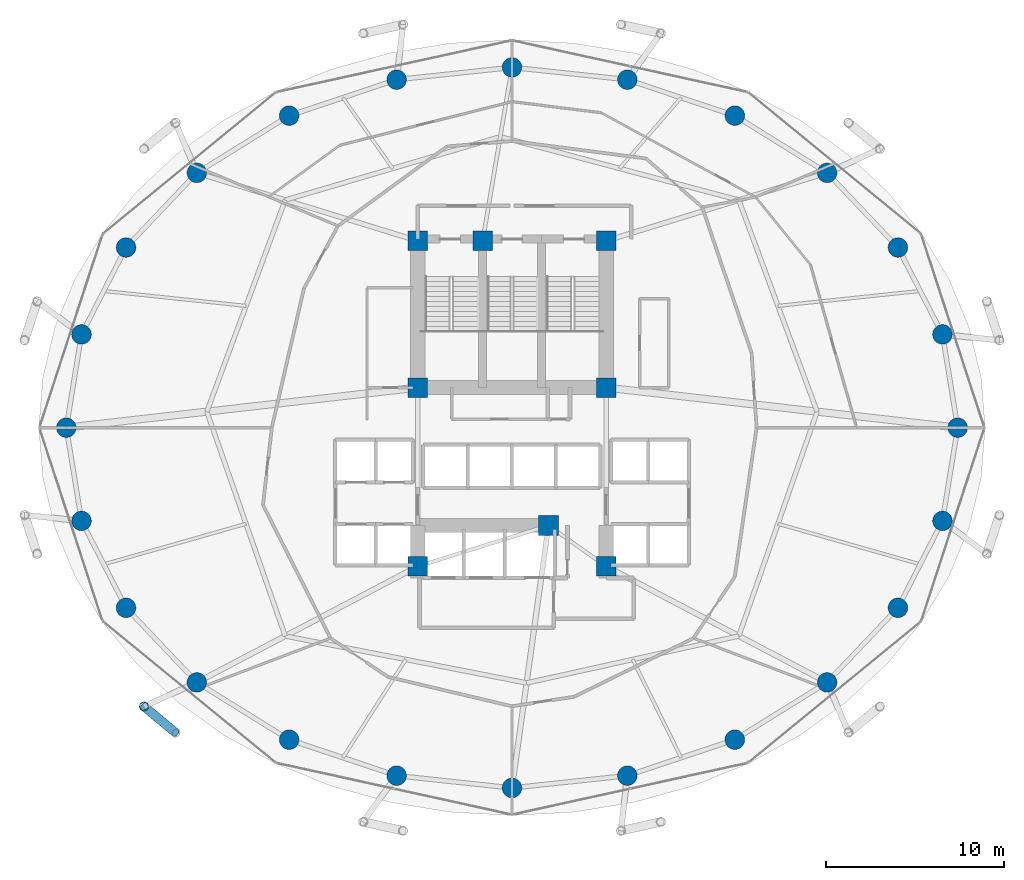
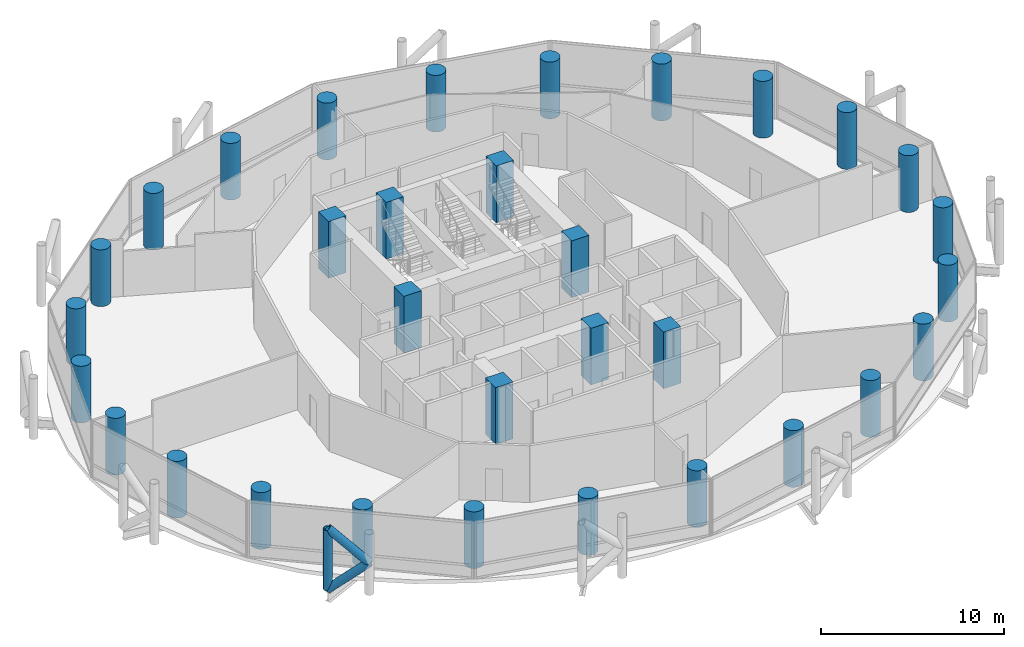
# One storey, part 1 of 25: 32 columns, 3 members.
"""IFC4 building model written with IfcOpenShell, lengths in metres."""

from ifc_helpers import new_model, si_unit, direction, frame, origin, origin_2d, place, context, subcontext, project, spatial, rectangle, circle, hollow_circle, extrude, material, material_profile, profile_set, type_object, element, save


model = new_model("IFC4")

# Units and contexts
model_context = context("Model", 3, precision=1e-05, world=origin(), true_north=direction((0.0, 1.0)))
body_context = subcontext(model_context, "Body", "Model", "MODEL_VIEW")
ifc_project = project(units=[si_unit("LENGTHUNIT", "METRE"), si_unit("AREAUNIT", "SQUARE_METRE"), si_unit("VOLUMEUNIT", "CUBIC_METRE"), si_unit("PLANEANGLEUNIT", "RADIAN"), si_unit("MASSUNIT", "GRAM", prefix="KILO")], contexts=[model_context])

# Site, building, storey
site_placement = place(None, origin())
site = spatial("IfcSite", under=ifc_project, at=site_placement, CompositionType="ELEMENT")
building_placement = place(site_placement, origin())
building = spatial("IfcBuilding", under=site, at=building_placement, Name="Nuhasar Tower", CompositionType="ELEMENT")
storey_placement = place(building_placement, frame((0.0, 0.0, 49.35009765625)))
storey = spatial("IfcBuildingStorey", under=building, at=storey_placement, Name="L11", CompositionType="ELEMENT", Elevation=49.35009765625)

# Columns
ifc_material_1 = material(Name="Concrete C80/95", Category="concrete")
ifc_material_profile_1 = material_profile(ifc_material_1, circle(Radius=0.550048828125, at=origin_2d()), Name="CFT1100")
ifc_profile_set_1 = profile_set([ifc_material_profile_1], Name="Concrete C80/95")
column_type_1 = type_object("IfcColumnType", Name="COL-CFT-1100", PredefinedType="COLUMN", material=ifc_profile_set_1)
for number, where, z_axis, x_axis, name in (
    (1, (64.050048828125, 26.800048828125, 0.0), (0.0, 0.0, 1.0), (1.0, 0.0, 0.0), "L11 Perimeter Composite Column TC-01"),
    (2, (63.196044921875, 32.041015625, 0.0), (0.0, 0.0, 1.0), (1.0, 0.0, 0.0), "L11 Perimeter Composite Column TC-02"),
    (3, (60.694091796875, 36.925048828125, 0.0), (0.0, 0.0, 1.0), (1.0, 0.0, 0.0), "L11 Perimeter Composite Column TC-03"),
    (4, (56.712890625, 41.118896484375, 0.0), (0.0, 0.0, 1.0), (1.0, 0.0, 0.0), "L11 Perimeter Composite Column TC-04"),
    (5, (51.52490234375, 44.3369140625, 0.0), (0.0, 0.0, 1.0), (1.0, 0.0, 0.0), "L11 Perimeter Composite Column TC-05"),
    (6, (45.48291015625, 46.360107421875, 0.0), (0.0, 0.0, 1.0), (1.0, 0.0, 0.0), "L11 Perimeter Composite Column TC-06"),
    (7, (39.0, 47.050048828125, 0.0), (0.0, 0.0, 1.0), (1.0, 0.0, 0.0), "L11 Perimeter Composite Column TC-07"),
    (8, (32.51708984375, 46.360107421875, 0.0), (0.0, 0.0, 1.0), (1.0, 0.0, 0.0), "L11 Perimeter Composite Column TC-08"),
    (9, (26.47509765625, 44.3369140625, 0.0), (0.0, 0.0, 1.0), (1.0, 0.0, 0.0), "L11 Perimeter Composite Column TC-09"),
    (10, (21.287109375, 41.118896484375, 0.0), (0.0, 0.0, 1.0), (1.0, 0.0, 0.0), "L11 Perimeter Composite Column TC-10"),
    (11, (17.305908203125, 36.925048828125, 0.0), (0.0, 0.0, 1.0), (1.0, 0.0, 0.0), "L11 Perimeter Composite Column TC-11"),
    (12, (14.803955078125, 32.041015625, 0.0), (0.0, 0.0, 1.0), (1.0, 0.0, 0.0), "L11 Perimeter Composite Column TC-12"),
    (13, (13.949951171875, 26.800048828125, 0.0), (0.0, 0.0, 1.0), (1.0, 0.0, 0.0), "L11 Perimeter Composite Column TC-13"),
    (14, (14.803955078125, 21.55908203125, 0.0), (0.0, 0.0, 1.0), (1.0, 0.0, 0.0), "L11 Perimeter Composite Column TC-14"),
    (15, (17.305908203125, 16.675048828125, 0.0), (0.0, 0.0, 1.0), (1.0, 0.0, 0.0), "L11 Perimeter Composite Column TC-15"),
    (16, (21.287109375, 12.48095703125, 0.0), (0.0, 0.0, 1.0), (1.0, 0.0, 0.0), "L11 Perimeter Composite Column TC-16"),
    (17, (26.47509765625, 9.262939453125, 0.0), (0.0, 0.0, 1.0), (1.0, 0.0, 0.0), "L11 Perimeter Composite Column TC-17"),
    (18, (32.51708984375, 7.239990234375, 0.0), (0.0, 0.0, 1.0), (1.0, 0.0, 0.0), "L11 Perimeter Composite Column TC-18"),
    (19, (39.0, 6.550048828125, 0.0), (0.0, 0.0, 1.0), (1.0, 0.0, 0.0), "L11 Perimeter Composite Column TC-19"),
    (20, (45.48291015625, 7.239990234375, 0.0), (0.0, 0.0, 1.0), (1.0, 0.0, 0.0), "L11 Perimeter Composite Column TC-20"),
    (21, (51.52490234375, 9.262939453125, 0.0), (0.0, 0.0, 1.0), (1.0, 0.0, 0.0), "L11 Perimeter Composite Column TC-21"),
    (22, (56.712890625, 12.48095703125, 0.0), (0.0, 0.0, 1.0), (1.0, 0.0, 0.0), "L11 Perimeter Composite Column TC-22"),
    (23, (60.694091796875, 16.675048828125, 0.0), (0.0, 0.0, 1.0), (1.0, 0.0, 0.0), "L11 Perimeter Composite Column TC-23"),
    (24, (63.196044921875, 21.55908203125, 0.0), (0.0, 0.0, 1.0), (1.0, 0.0, 0.0), "L11 Perimeter Composite Column TC-24"),
):
    element("IfcColumn", number, at=place(storey_placement, frame(where, z_axis=z_axis, x_axis=x_axis)), inside=storey, type_object=column_type_1, Name=name, PredefinedType="COLUMN", context=body_context, shape_type="SweptSolid", body=[
        extrude(circle(Radius=0.550048828125, at=origin_2d()), origin(), (0.0, 0.0, 1.0), 3.789794921875),
    ])
ifc_material_profile_2 = material_profile(ifc_material_1, rectangle(XDim=1.10009765625, YDim=1.10009765625, at=origin_2d()), Name="RC1100X1100")
ifc_profile_set_2 = profile_set([ifc_material_profile_2], Name="Concrete C80/95")
column_type_2 = type_object("IfcColumnType", Name="PIL-RC-1100", PredefinedType="PILASTER", material=ifc_profile_set_2)
for number, where, z_axis, x_axis, name in (
    (25, (33.699951171875, 19.0, 0.0), (0.0, 0.0, 1.0), (1.0, 0.0, 0.0), "L11 Core Boundary Pilaster CC-01"),
    (26, (41.050048828125, 21.300048828125, 0.0), (0.0, 0.0, 1.0), (1.0, 0.0, 0.0), "L11 Core Boundary Pilaster CC-02"),
    (27, (44.300048828125, 19.0, 0.0), (0.0, 0.0, 1.0), (1.0, 0.0, 0.0), "L11 Core Boundary Pilaster CC-03"),
    (28, (44.300048828125, 29.050048828125, 0.0), (0.0, 0.0, 1.0), (1.0, 0.0, 0.0), "L11 Core Boundary Pilaster CC-04"),
    (29, (44.300048828125, 37.300048828125, 0.0), (0.0, 0.0, 1.0), (1.0, 0.0, 0.0), "L11 Core Boundary Pilaster CC-05"),
    (30, (37.35009765625, 37.300048828125, 0.0), (0.0, 0.0, 1.0), (1.0, 0.0, 0.0), "L11 Core Boundary Pilaster CC-06"),
    (31, (33.699951171875, 37.300048828125, 0.0), (0.0, 0.0, 1.0), (1.0, 0.0, 0.0), "L11 Core Boundary Pilaster CC-07"),
    (32, (33.699951171875, 29.050048828125, 0.0), (0.0, 0.0, 1.0), (1.0, 0.0, 0.0), "L11 Core Boundary Pilaster CC-08"),
):
    element("IfcColumn", number, at=place(storey_placement, frame(where, z_axis=z_axis, x_axis=x_axis)), inside=storey, type_object=column_type_2, Name=name, PredefinedType="PILASTER", context=body_context, shape_type="SweptSolid", body=[
        extrude(rectangle(XDim=1.10009765625, YDim=1.10009765625, at=origin_2d()), origin(), (0.0, 0.0, 1.0), 3.789794921875),
    ])

# Members
ifc_material_2 = material(Name="Steel S460", Category="steel")
ifc_material_profile_3 = material_profile(ifc_material_2, hollow_circle(Radius=0.25390625, WallThickness=0.025390625, at=origin_2d()), Name="HSS508X25.4")
ifc_profile_set_3 = profile_set([ifc_material_profile_3], Name="Steel S460")
member_type = type_object("IfcMemberType", Name="EXO-BRONZE-508", PredefinedType="BRACE", material=ifc_profile_set_3)
member_placement = place(storey_placement, frame((18.31494140625, 11.12890625, 0.0), z_axis=(0.0, 0.0, 1.0), x_axis=(1.0, 0.0, 0.0)))
element("IfcMember", 33, at=member_placement, inside=storey, type_object=member_type, Name="L11 Exoskeleton Chord Column EC-08A", PredefinedType="BRACE", context=body_context, shape_type="SweptSolid", body=[
    extrude(hollow_circle(Radius=0.25390625, WallThickness=0.025390625, at=origin_2d()), origin(), (0.0, 0.0, 1.0), 4.0498046875),
])
for number, where, z_axis, x_axis, name in (
    (34, (18.31494140625, 11.12890625, 0.0), (0.578101613167, -0.478937034992, 0.660619286251), (0.637969333506, 0.770061769929, 0.0), "L11 Bronze Diagrid Brace W1-08"),
    (35, (20.0869140625, 9.660888671875, 2.02490234375), (-0.578101613167, 0.478937034992, 0.660619286251), (-0.637969333506, -0.770061769929, 0.0), "L11 Bronze Diagrid Brace W2-08"),
):
    element("IfcMember", number, at=place(storey_placement, frame(where, z_axis=z_axis, x_axis=x_axis)), inside=storey, type_object=member_type, Name=name, PredefinedType="BRACE", context=body_context, shape_type="SweptSolid", body=[
        extrude(hollow_circle(Radius=0.25390625, WallThickness=0.025390625, at=origin_2d()), origin(), (0.0, 0.0, 1.0), 3.065185546875),
    ])

save(model, "model.ifc")
